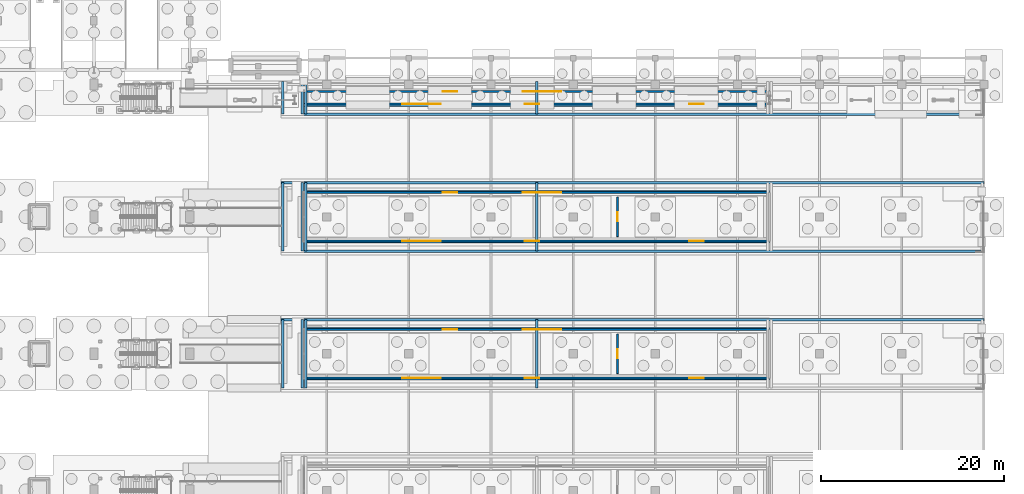
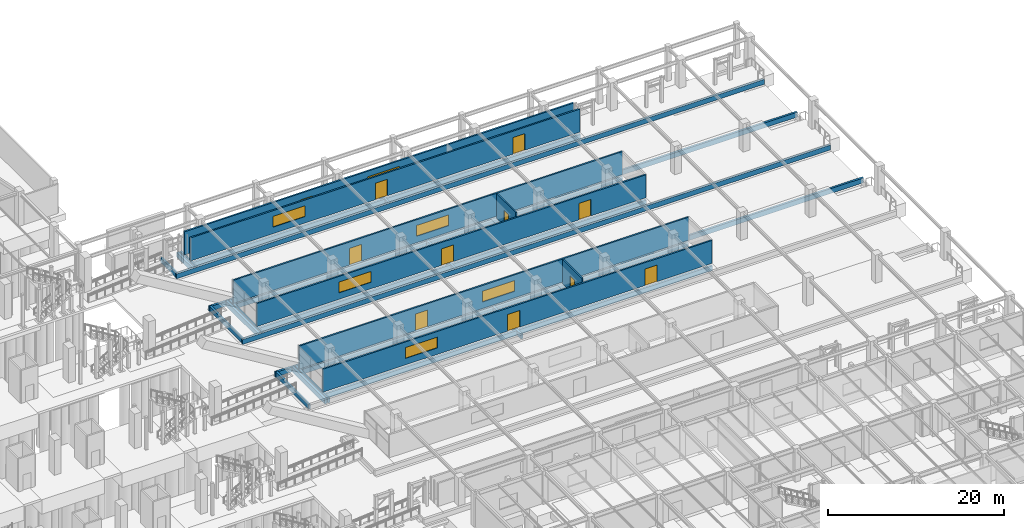
# One storey, part 111 of 160: 29 walls, 11 doors, 6 windows, 17 openings.
"""IFC4 building model written with IfcOpenShell, lengths in metres."""

from ifc_helpers import new_model, si_unit, direction, frame, frame_2d, origin, place, context, subcontext, project, spatial, rectangle, extrude, material, layer, layer_set, type_object, element, fill, save


model = new_model("IFC4")

# Units and contexts
model_context = context("Model", 3, precision=1e-05, world=origin(), true_north=direction((0.0, 1.0)))
body_context = subcontext(model_context, "Body", "Model", "MODEL_VIEW")
ifc_project = project(units=[si_unit("LENGTHUNIT", "METRE"), si_unit("AREAUNIT", "SQUARE_METRE"), si_unit("VOLUMEUNIT", "CUBIC_METRE"), si_unit("PLANEANGLEUNIT", "RADIAN"), si_unit("MASSUNIT", "GRAM", prefix="KILO")], contexts=[model_context])

# Site, building, storey
site_placement = place(None, origin())
site = spatial("IfcSite", under=ifc_project, at=site_placement, CompositionType="ELEMENT")
building_placement = place(site_placement, origin())
building = spatial("IfcBuilding", under=site, at=building_placement, Name="Marlcrest Central Station", CompositionType="ELEMENT")
storey_placement = place(building_placement, origin())
storey = spatial("IfcBuildingStorey", under=building, at=storey_placement, Name="L00", CompositionType="ELEMENT", Elevation=0.0)

# Wall, openings, doors, window
ifc_material_1 = material(Name="Concrete C35/45", Category="concrete")
ifc_layer_1 = layer(ifc_material_1, 0.2099609375, Name="EW-08")
ifc_layer_set_1 = layer_set([ifc_layer_1], Name="Concrete C35/45")
wall_type_1 = type_object("IfcWallType", Name="EW-08", PredefinedType="SOLIDWALL", material=ifc_layer_set_1)
wall_1_placement = place(storey_placement, frame((192.5, 63.35009765625, 0.9150390625), z_axis=(0.0, 0.0, 1.0), x_axis=(-1.0, 0.0, 0.0)))
wall_1 = element("IfcWall", 1, at=wall_1_placement, inside=storey, type_object=wall_type_1, Name="ewall-L00-0230", PredefinedType="SOLIDWALL", context=body_context, shape_type="SweptSolid", body=[
    extrude(rectangle(XDim=51.0, YDim=0.2099609375, at=frame_2d((25.5, 0.0))), origin(), (0.0, 0.0, 1.0), 3.18505859375),
])
opening_1_placement = place(wall_1_placement, frame((25.199951171875, 0.0, 0.0)))
opening_1 = element("IfcOpeningElement", 2, at=opening_1_placement, cuts=wall_1, Name="Opening ED-05", PredefinedType="OPENING", context=body_context, shape_type="SweptSolid", body=[
    extrude(rectangle(XDim=1.60009765625, YDim=2.300048828125, at=frame_2d((0.800048828125, 1.14990234375))), frame((0.0, 0.114990234375, 0.0), z_axis=(0.0, -1.0, 0.0), x_axis=(1.0, 0.0, 0.0)), (0.0, 0.0, 1.0), 0.22998046875),
])
opening_2_placement = place(wall_1_placement, frame((7.199951171875, 0.0, 0.0)))
opening_2 = element("IfcOpeningElement", 3, at=opening_2_placement, cuts=wall_1, Name="Opening ED-05", PredefinedType="OPENING", context=body_context, shape_type="SweptSolid", body=[
    extrude(rectangle(XDim=1.60009765625, YDim=2.300048828125, at=frame_2d((0.800048828125, 1.14990234375))), frame((0.0, 0.114990234375, 0.0), z_axis=(0.0, -1.0, 0.0), x_axis=(1.0, 0.0, 0.0)), (0.0, 0.0, 1.0), 0.22998046875),
])
opening_3_placement = place(wall_1_placement, frame((36.0, 0.0, 0.89990234375)))
opening_3 = element("IfcOpeningElement", 4, at=opening_3_placement, cuts=wall_1, Name="Opening WN-12", PredefinedType="OPENING", context=body_context, shape_type="SweptSolid", body=[
    extrude(rectangle(XDim=4.199951171875, YDim=1.5, at=frame_2d((2.10009765625, 0.75))), frame((0.0, 0.114990234375, 0.0), z_axis=(0.0, -1.0, 0.0), x_axis=(1.0, 0.0, 0.0)), (0.0, 0.0, 1.0), 0.22998046875),
])
ifc_material_2 = material(Name="Thermally broken anodised aluminium and laminated safety glass", Category="aluminium")
door_type_1 = type_object("IfcDoorType", Name="ED-05", OperationType="DOUBLE_DOOR_SINGLE_SWING", PredefinedType="DOOR", material=ifc_material_2)
door_1_placement = place(opening_1_placement, origin())
door_1 = element("IfcDoor", 5, at=door_1_placement, inside=storey, type_object=door_type_1, Name="Platform 3 E South Lounge Door 060", OperationType="DOUBLE_DOOR_SINGLE_SWING", OverallHeight=2.300048828125, OverallWidth=1.60009765625, PredefinedType="DOOR", context=body_context, shape_type="SweptSolid", body=[
    extrude(rectangle(XDim=1.60009765625, YDim=2.300048828125, at=frame_2d((0.800048828125, 1.14990234375))), frame((0.0, 0.02490234375, 0.0), z_axis=(0.0, -1.0, 0.0), x_axis=(1.0, 0.0, 0.0)), (0.0, 0.0, 1.0), 0.050048828125),
])
fill(opening_1, door_1)
door_2_placement = place(opening_2_placement, origin())
door_2 = element("IfcDoor", 6, at=door_2_placement, inside=storey, type_object=door_type_1, Name="Platform 3 E Pod Door 061", OperationType="DOUBLE_DOOR_SINGLE_SWING", OverallHeight=2.300048828125, OverallWidth=1.60009765625, PredefinedType="DOOR", context=body_context, shape_type="SweptSolid", body=[
    extrude(rectangle(XDim=1.60009765625, YDim=2.300048828125, at=frame_2d((0.800048828125, 1.14990234375))), frame((0.0, 0.02490234375, 0.0), z_axis=(0.0, -1.0, 0.0), x_axis=(1.0, 0.0, 0.0)), (0.0, 0.0, 1.0), 0.050048828125),
])
fill(opening_2, door_2)
ifc_material_3 = material(Name="Thermally broken bronze-anodised aluminium and laminated low-E glass", Category="aluminium")
window_type = type_object("IfcWindowType", Name="WN-12", PartitioningType="SINGLE_PANEL", PredefinedType="WINDOW", material=ifc_material_3)
window_1_placement = place(opening_3_placement, origin())
window_1 = element("IfcWindow", 7, at=window_1_placement, inside=storey, type_object=window_type, Name="ewin-L00-0178", OverallHeight=1.5, OverallWidth=4.199951171875, PartitioningType="SINGLE_PANEL", PredefinedType="WINDOW", context=body_context, shape_type="SweptSolid", body=[
    extrude(rectangle(XDim=4.199951171875, YDim=1.5, at=frame_2d((2.10009765625, 0.75))), frame((0.0, 0.030029296875, 0.0), z_axis=(0.0, -1.0, 0.0), x_axis=(1.0, 0.0, 0.0)), (0.0, 0.0, 1.0), 0.06005859375),
])
fill(opening_3, window_1)

# Wall, openings, door, window
wall_2_placement = place(storey_placement, frame((141.5, 68.64990234375, 0.9150390625), z_axis=(0.0, 0.0, 1.0), x_axis=(1.0, 0.0, 0.0)))
wall_2 = element("IfcWall", 8, at=wall_2_placement, inside=storey, type_object=wall_type_1, Name="ewall-L00-0231", PredefinedType="SOLIDWALL", context=body_context, shape_type="SweptSolid", body=[
    extrude(rectangle(XDim=51.0, YDim=0.2099609375, at=frame_2d((25.5, 0.0))), origin(), (0.0, 0.0, 1.0), 3.18505859375),
])
opening_4_placement = place(wall_2_placement, frame((15.199951171875, 0.0, 0.0)))
opening_4 = element("IfcOpeningElement", 9, at=opening_4_placement, cuts=wall_2, Name="Opening ED-05", PredefinedType="OPENING", context=body_context, shape_type="SweptSolid", body=[
    extrude(rectangle(XDim=1.60009765625, YDim=2.300048828125, at=frame_2d((0.800048828125, 1.14990234375))), frame((0.0, 0.114990234375, 0.0), z_axis=(0.0, -1.0, 0.0), x_axis=(1.0, 0.0, 0.0)), (0.0, 0.0, 1.0), 0.22998046875),
])
opening_5_placement = place(wall_2_placement, frame((24.0, 0.0, 0.89990234375)))
opening_5 = element("IfcOpeningElement", 10, at=opening_5_placement, cuts=wall_2, Name="Opening WN-12", PredefinedType="OPENING", context=body_context, shape_type="SweptSolid", body=[
    extrude(rectangle(XDim=4.199951171875, YDim=1.5, at=frame_2d((2.10009765625, 0.75))), frame((0.0, 0.114990234375, 0.0), z_axis=(0.0, -1.0, 0.0), x_axis=(1.0, 0.0, 0.0)), (0.0, 0.0, 1.0), 0.22998046875),
])
door_3_placement = place(opening_4_placement, origin())
door_3 = element("IfcDoor", 11, at=door_3_placement, inside=storey, type_object=door_type_1, Name="Platform 3 E North Lounge Door 062", OperationType="DOUBLE_DOOR_SINGLE_SWING", OverallHeight=2.300048828125, OverallWidth=1.60009765625, PredefinedType="DOOR", context=body_context, shape_type="SweptSolid", body=[
    extrude(rectangle(XDim=1.60009765625, YDim=2.300048828125, at=frame_2d((0.800048828125, 1.14990234375))), frame((0.0, 0.02490234375, 0.0), z_axis=(0.0, -1.0, 0.0), x_axis=(1.0, 0.0, 0.0)), (0.0, 0.0, 1.0), 0.050048828125),
])
fill(opening_4, door_3)
window_2_placement = place(opening_5_placement, origin())
window_2 = element("IfcWindow", 12, at=window_2_placement, inside=storey, type_object=window_type, Name="ewin-L00-0179", OverallHeight=1.5, OverallWidth=4.199951171875, PartitioningType="SINGLE_PANEL", PredefinedType="WINDOW", context=body_context, shape_type="SweptSolid", body=[
    extrude(rectangle(XDim=4.199951171875, YDim=1.5, at=frame_2d((2.10009765625, 0.75))), frame((0.0, 0.030029296875, 0.0), z_axis=(0.0, -1.0, 0.0), x_axis=(1.0, 0.0, 0.0)), (0.0, 0.0, 1.0), 0.06005859375),
])
fill(opening_5, window_2)

# Wall, openings, doors, window
wall_3_placement = place(storey_placement, frame((192.5, 78.35009765625, 0.9150390625), z_axis=(0.0, 0.0, 1.0), x_axis=(-1.0, 0.0, 0.0)))
wall_3 = element("IfcWall", 13, at=wall_3_placement, inside=storey, type_object=wall_type_1, Name="ewall-L00-0236", PredefinedType="SOLIDWALL", context=body_context, shape_type="SweptSolid", body=[
    extrude(rectangle(XDim=51.0, YDim=0.2099609375, at=frame_2d((25.5, 0.0))), origin(), (0.0, 0.0, 1.0), 3.18505859375),
])
opening_6_placement = place(wall_3_placement, frame((25.199951171875, 0.0, 0.0)))
opening_6 = element("IfcOpeningElement", 14, at=opening_6_placement, cuts=wall_3, Name="Opening ED-05", PredefinedType="OPENING", context=body_context, shape_type="SweptSolid", body=[
    extrude(rectangle(XDim=1.60009765625, YDim=2.300048828125, at=frame_2d((0.800048828125, 1.14990234375))), frame((0.0, 0.114990234375, 0.0), z_axis=(0.0, -1.0, 0.0), x_axis=(1.0, 0.0, 0.0)), (0.0, 0.0, 1.0), 0.22998046875),
])
opening_7_placement = place(wall_3_placement, frame((7.199951171875, 0.0, 0.0)))
opening_7 = element("IfcOpeningElement", 15, at=opening_7_placement, cuts=wall_3, Name="Opening ED-05", PredefinedType="OPENING", context=body_context, shape_type="SweptSolid", body=[
    extrude(rectangle(XDim=1.60009765625, YDim=2.300048828125, at=frame_2d((0.800048828125, 1.14990234375))), frame((0.0, 0.114990234375, 0.0), z_axis=(0.0, -1.0, 0.0), x_axis=(1.0, 0.0, 0.0)), (0.0, 0.0, 1.0), 0.22998046875),
])
opening_8_placement = place(wall_3_placement, frame((36.0, 0.0, 0.89990234375)))
opening_8 = element("IfcOpeningElement", 16, at=opening_8_placement, cuts=wall_3, Name="Opening WN-12", PredefinedType="OPENING", context=body_context, shape_type="SweptSolid", body=[
    extrude(rectangle(XDim=4.199951171875, YDim=1.5, at=frame_2d((2.10009765625, 0.75))), frame((0.0, 0.114990234375, 0.0), z_axis=(0.0, -1.0, 0.0), x_axis=(1.0, 0.0, 0.0)), (0.0, 0.0, 1.0), 0.22998046875),
])
door_4_placement = place(opening_6_placement, origin())
door_4 = element("IfcDoor", 17, at=door_4_placement, inside=storey, type_object=door_type_1, Name="Platform 4 E South Lounge Door 066", OperationType="DOUBLE_DOOR_SINGLE_SWING", OverallHeight=2.300048828125, OverallWidth=1.60009765625, PredefinedType="DOOR", context=body_context, shape_type="SweptSolid", body=[
    extrude(rectangle(XDim=1.60009765625, YDim=2.300048828125, at=frame_2d((0.800048828125, 1.14990234375))), frame((0.0, 0.02490234375, 0.0), z_axis=(0.0, -1.0, 0.0), x_axis=(1.0, 0.0, 0.0)), (0.0, 0.0, 1.0), 0.050048828125),
])
fill(opening_6, door_4)
door_5_placement = place(opening_7_placement, origin())
door_5 = element("IfcDoor", 18, at=door_5_placement, inside=storey, type_object=door_type_1, Name="Platform 4 E Pod Door 067", OperationType="DOUBLE_DOOR_SINGLE_SWING", OverallHeight=2.300048828125, OverallWidth=1.60009765625, PredefinedType="DOOR", context=body_context, shape_type="SweptSolid", body=[
    extrude(rectangle(XDim=1.60009765625, YDim=2.300048828125, at=frame_2d((0.800048828125, 1.14990234375))), frame((0.0, 0.02490234375, 0.0), z_axis=(0.0, -1.0, 0.0), x_axis=(1.0, 0.0, 0.0)), (0.0, 0.0, 1.0), 0.050048828125),
])
fill(opening_7, door_5)
window_3_placement = place(opening_8_placement, origin())
window_3 = element("IfcWindow", 19, at=window_3_placement, inside=storey, type_object=window_type, Name="ewin-L00-0182", OverallHeight=1.5, OverallWidth=4.199951171875, PartitioningType="SINGLE_PANEL", PredefinedType="WINDOW", context=body_context, shape_type="SweptSolid", body=[
    extrude(rectangle(XDim=4.199951171875, YDim=1.5, at=frame_2d((2.10009765625, 0.75))), frame((0.0, 0.030029296875, 0.0), z_axis=(0.0, -1.0, 0.0), x_axis=(1.0, 0.0, 0.0)), (0.0, 0.0, 1.0), 0.06005859375),
])
fill(opening_8, window_3)

# Wall, openings, door, window
wall_4_placement = place(storey_placement, frame((141.5, 83.64990234375, 0.9150390625), z_axis=(0.0, 0.0, 1.0), x_axis=(1.0, 0.0, 0.0)))
wall_4 = element("IfcWall", 20, at=wall_4_placement, inside=storey, type_object=wall_type_1, Name="ewall-L00-0237", PredefinedType="SOLIDWALL", context=body_context, shape_type="SweptSolid", body=[
    extrude(rectangle(XDim=51.0, YDim=0.2099609375, at=frame_2d((25.5, 0.0))), origin(), (0.0, 0.0, 1.0), 3.18505859375),
])
opening_9_placement = place(wall_4_placement, frame((15.199951171875, 0.0, 0.0)))
opening_9 = element("IfcOpeningElement", 21, at=opening_9_placement, cuts=wall_4, Name="Opening ED-05", PredefinedType="OPENING", context=body_context, shape_type="SweptSolid", body=[
    extrude(rectangle(XDim=1.60009765625, YDim=2.300048828125, at=frame_2d((0.800048828125, 1.14990234375))), frame((0.0, 0.114990234375, 0.0), z_axis=(0.0, -1.0, 0.0), x_axis=(1.0, 0.0, 0.0)), (0.0, 0.0, 1.0), 0.22998046875),
])
opening_10_placement = place(wall_4_placement, frame((24.0, 0.0, 0.89990234375)))
opening_10 = element("IfcOpeningElement", 22, at=opening_10_placement, cuts=wall_4, Name="Opening WN-12", PredefinedType="OPENING", context=body_context, shape_type="SweptSolid", body=[
    extrude(rectangle(XDim=4.199951171875, YDim=1.5, at=frame_2d((2.10009765625, 0.75))), frame((0.0, 0.114990234375, 0.0), z_axis=(0.0, -1.0, 0.0), x_axis=(1.0, 0.0, 0.0)), (0.0, 0.0, 1.0), 0.22998046875),
])
door_6_placement = place(opening_9_placement, origin())
door_6 = element("IfcDoor", 23, at=door_6_placement, inside=storey, type_object=door_type_1, Name="Platform 4 E North Lounge Door 068", OperationType="DOUBLE_DOOR_SINGLE_SWING", OverallHeight=2.300048828125, OverallWidth=1.60009765625, PredefinedType="DOOR", context=body_context, shape_type="SweptSolid", body=[
    extrude(rectangle(XDim=1.60009765625, YDim=2.300048828125, at=frame_2d((0.800048828125, 1.14990234375))), frame((0.0, 0.02490234375, 0.0), z_axis=(0.0, -1.0, 0.0), x_axis=(1.0, 0.0, 0.0)), (0.0, 0.0, 1.0), 0.050048828125),
])
fill(opening_9, door_6)
window_4_placement = place(opening_10_placement, origin())
window_4 = element("IfcWindow", 24, at=window_4_placement, inside=storey, type_object=window_type, Name="ewin-L00-0183", OverallHeight=1.5, OverallWidth=4.199951171875, PartitioningType="SINGLE_PANEL", PredefinedType="WINDOW", context=body_context, shape_type="SweptSolid", body=[
    extrude(rectangle(XDim=4.199951171875, YDim=1.5, at=frame_2d((2.10009765625, 0.75))), frame((0.0, 0.030029296875, 0.0), z_axis=(0.0, -1.0, 0.0), x_axis=(1.0, 0.0, 0.0)), (0.0, 0.0, 1.0), 0.06005859375),
])
fill(opening_10, window_4)

# Wall, openings, doors, window
wall_5_placement = place(storey_placement, frame((192.5, 93.35009765625, 0.9150390625), z_axis=(0.0, 0.0, 1.0), x_axis=(-1.0, 0.0, 0.0)))
wall_5 = element("IfcWall", 25, at=wall_5_placement, inside=storey, type_object=wall_type_1, Name="ewall-L00-0242", PredefinedType="SOLIDWALL", context=body_context, shape_type="SweptSolid", body=[
    extrude(rectangle(XDim=51.0, YDim=0.2099609375, at=frame_2d((25.5, 0.0))), origin(), (0.0, 0.0, 1.0), 3.18505859375),
])
opening_11_placement = place(wall_5_placement, frame((25.199951171875, 0.0, 0.0)))
opening_11 = element("IfcOpeningElement", 26, at=opening_11_placement, cuts=wall_5, Name="Opening ED-05", PredefinedType="OPENING", context=body_context, shape_type="SweptSolid", body=[
    extrude(rectangle(XDim=1.60009765625, YDim=2.300048828125, at=frame_2d((0.800048828125, 1.14990234375))), frame((0.0, 0.114990234375, 0.0), z_axis=(0.0, -1.0, 0.0), x_axis=(1.0, 0.0, 0.0)), (0.0, 0.0, 1.0), 0.22998046875),
])
opening_12_placement = place(wall_5_placement, frame((7.199951171875, 0.0, 0.0)))
opening_12 = element("IfcOpeningElement", 27, at=opening_12_placement, cuts=wall_5, Name="Opening ED-05", PredefinedType="OPENING", context=body_context, shape_type="SweptSolid", body=[
    extrude(rectangle(XDim=1.60009765625, YDim=2.300048828125, at=frame_2d((0.800048828125, 1.14990234375))), frame((0.0, 0.114990234375, 0.0), z_axis=(0.0, -1.0, 0.0), x_axis=(1.0, 0.0, 0.0)), (0.0, 0.0, 1.0), 0.22998046875),
])
opening_13_placement = place(wall_5_placement, frame((36.0, 0.0, 0.89990234375)))
opening_13 = element("IfcOpeningElement", 28, at=opening_13_placement, cuts=wall_5, Name="Opening WN-12", PredefinedType="OPENING", context=body_context, shape_type="SweptSolid", body=[
    extrude(rectangle(XDim=4.199951171875, YDim=1.5, at=frame_2d((2.10009765625, 0.75))), frame((0.0, 0.114990234375, 0.0), z_axis=(0.0, -1.0, 0.0), x_axis=(1.0, 0.0, 0.0)), (0.0, 0.0, 1.0), 0.22998046875),
])
door_7_placement = place(opening_11_placement, origin())
door_7 = element("IfcDoor", 29, at=door_7_placement, inside=storey, type_object=door_type_1, Name="Platform 5 E South Lounge Door 072", OperationType="DOUBLE_DOOR_SINGLE_SWING", OverallHeight=2.300048828125, OverallWidth=1.60009765625, PredefinedType="DOOR", context=body_context, shape_type="SweptSolid", body=[
    extrude(rectangle(XDim=1.60009765625, YDim=2.300048828125, at=frame_2d((0.800048828125, 1.14990234375))), frame((0.0, 0.02490234375, 0.0), z_axis=(0.0, -1.0, 0.0), x_axis=(1.0, 0.0, 0.0)), (0.0, 0.0, 1.0), 0.050048828125),
])
fill(opening_11, door_7)
door_8_placement = place(opening_12_placement, origin())
door_8 = element("IfcDoor", 30, at=door_8_placement, inside=storey, type_object=door_type_1, Name="Platform 5 E Pod Door 073", OperationType="DOUBLE_DOOR_SINGLE_SWING", OverallHeight=2.300048828125, OverallWidth=1.60009765625, PredefinedType="DOOR", context=body_context, shape_type="SweptSolid", body=[
    extrude(rectangle(XDim=1.60009765625, YDim=2.300048828125, at=frame_2d((0.800048828125, 1.14990234375))), frame((0.0, 0.02490234375, 0.0), z_axis=(0.0, -1.0, 0.0), x_axis=(1.0, 0.0, 0.0)), (0.0, 0.0, 1.0), 0.050048828125),
])
fill(opening_12, door_8)
window_5_placement = place(opening_13_placement, origin())
window_5 = element("IfcWindow", 31, at=window_5_placement, inside=storey, type_object=window_type, Name="ewin-L00-0186", OverallHeight=1.5, OverallWidth=4.199951171875, PartitioningType="SINGLE_PANEL", PredefinedType="WINDOW", context=body_context, shape_type="SweptSolid", body=[
    extrude(rectangle(XDim=4.199951171875, YDim=1.5, at=frame_2d((2.10009765625, 0.75))), frame((0.0, 0.030029296875, 0.0), z_axis=(0.0, -1.0, 0.0), x_axis=(1.0, 0.0, 0.0)), (0.0, 0.0, 1.0), 0.06005859375),
])
fill(opening_13, window_5)

# Wall, openings, door, window
wall_6_placement = place(storey_placement, frame((141.5, 94.75, 0.9150390625), z_axis=(0.0, 0.0, 1.0), x_axis=(1.0, 0.0, 0.0)))
wall_6 = element("IfcWall", 32, at=wall_6_placement, inside=storey, type_object=wall_type_1, Name="ewall-L00-0243", PredefinedType="SOLIDWALL", context=body_context, shape_type="SweptSolid", body=[
    extrude(rectangle(XDim=51.0, YDim=0.2099609375, at=frame_2d((25.5, 0.0))), origin(), (0.0, 0.0, 1.0), 3.18505859375),
])
opening_14_placement = place(wall_6_placement, frame((15.199951171875, 0.0, 0.0)))
opening_14 = element("IfcOpeningElement", 33, at=opening_14_placement, cuts=wall_6, Name="Opening ED-05", PredefinedType="OPENING", context=body_context, shape_type="SweptSolid", body=[
    extrude(rectangle(XDim=1.60009765625, YDim=2.300048828125, at=frame_2d((0.800048828125, 1.14990234375))), frame((0.0, 0.114990234375, 0.0), z_axis=(0.0, -1.0, 0.0), x_axis=(1.0, 0.0, 0.0)), (0.0, 0.0, 1.0), 0.22998046875),
])
opening_15_placement = place(wall_6_placement, frame((24.0, 0.0, 0.89990234375)))
opening_15 = element("IfcOpeningElement", 34, at=opening_15_placement, cuts=wall_6, Name="Opening WN-12", PredefinedType="OPENING", context=body_context, shape_type="SweptSolid", body=[
    extrude(rectangle(XDim=4.199951171875, YDim=1.5, at=frame_2d((2.10009765625, 0.75))), frame((0.0, 0.114990234375, 0.0), z_axis=(0.0, -1.0, 0.0), x_axis=(1.0, 0.0, 0.0)), (0.0, 0.0, 1.0), 0.22998046875),
])
door_9_placement = place(opening_14_placement, origin())
door_9 = element("IfcDoor", 35, at=door_9_placement, inside=storey, type_object=door_type_1, Name="Platform 5 E North Lounge Door 074", OperationType="DOUBLE_DOOR_SINGLE_SWING", OverallHeight=2.300048828125, OverallWidth=1.60009765625, PredefinedType="DOOR", context=body_context, shape_type="SweptSolid", body=[
    extrude(rectangle(XDim=1.60009765625, YDim=2.300048828125, at=frame_2d((0.800048828125, 1.14990234375))), frame((0.0, 0.02490234375, 0.0), z_axis=(0.0, -1.0, 0.0), x_axis=(1.0, 0.0, 0.0)), (0.0, 0.0, 1.0), 0.050048828125),
])
fill(opening_14, door_9)
window_6_placement = place(opening_15_placement, origin())
window_6 = element("IfcWindow", 36, at=window_6_placement, inside=storey, type_object=window_type, Name="ewin-L00-0187", OverallHeight=1.5, OverallWidth=4.199951171875, PartitioningType="SINGLE_PANEL", PredefinedType="WINDOW", context=body_context, shape_type="SweptSolid", body=[
    extrude(rectangle(XDim=4.199951171875, YDim=1.5, at=frame_2d((2.10009765625, 0.75))), frame((0.0, 0.030029296875, 0.0), z_axis=(0.0, -1.0, 0.0), x_axis=(1.0, 0.0, 0.0)), (0.0, 0.0, 1.0), 0.06005859375),
])
fill(opening_15, window_6)

# Wall, opening, door
ifc_material_4 = material(Name="Fire-rated corridor blockwork partition", Category="masonry")
ifc_layer_2 = layer(ifc_material_4, 0.179931640625, Name="PT-04")
ifc_layer_set_2 = layer_set([ifc_layer_2], Name="Fire-rated corridor blockwork partition")
wall_type_2 = type_object("IfcWallType", Name="PT-04", PredefinedType="PARTITIONING", material=ifc_layer_set_2)
wall_7_placement = place(storey_placement, frame((175.860107421875, 63.830078125, 0.9150390625), z_axis=(0.0, 0.0, 1.0), x_axis=(0.0, 1.0, 0.0)))
wall_7 = element("IfcWall", 37, at=wall_7_placement, inside=storey, type_object=wall_type_2, Name="iwall-L00-00023", PredefinedType="PARTITIONING", context=body_context, shape_type="SweptSolid", body=[
    extrude(rectangle(XDim=4.33984375, YDim=0.179931640625, at=frame_2d((2.169921875, 0.0))), origin(), (0.0, 0.0, 1.0), 3.43505859375),
])
opening_16_placement = place(wall_7_placement, frame((1.669921875, 0.0, 0.0)))
opening_16 = element("IfcOpeningElement", 38, at=opening_16_placement, cuts=wall_7, Name="Opening ID-02", PredefinedType="OPENING", context=body_context, shape_type="SweptSolid", body=[
    extrude(rectangle(XDim=1.0, YDim=2.14990234375, at=frame_2d((0.5, 1.074951171875))), frame((0.0, 0.099853515625, 0.0), z_axis=(0.0, -1.0, 0.0), x_axis=(1.0, 0.0, 0.0)), (0.0, 0.0, 1.0), 0.199951171875),
])
ifc_material_5 = material(Name="Solid-core hardwood office door", Category="wood")
door_type_2 = type_object("IfcDoorType", Name="ID-02", OperationType="NOTDEFINED", PredefinedType="DOOR", material=ifc_material_5)
door_10_placement = place(opening_16_placement, origin())
door_10 = element("IfcDoor", 39, at=door_10_placement, inside=storey, type_object=door_type_2, Name="L00-PC3 0015", OperationType="SINGLE_SWING_RIGHT", OverallHeight=2.14990234375, OverallWidth=1.0, PredefinedType="DOOR", context=body_context, shape_type="SweptSolid", body=[
    extrude(rectangle(XDim=1.0, YDim=2.14990234375, at=frame_2d((0.5, 1.074951171875))), frame((0.0, 0.02490234375, 0.0), z_axis=(0.0, -1.0, 0.0), x_axis=(1.0, 0.0, 0.0)), (0.0, 0.0, 1.0), 0.050048828125),
])
fill(opening_16, door_10)

wall_8_placement = place(storey_placement, frame((175.860107421875, 78.830078125, 0.9150390625), z_axis=(0.0, 0.0, 1.0), x_axis=(0.0, 1.0, 0.0)))
wall_8 = element("IfcWall", 40, at=wall_8_placement, inside=storey, type_object=wall_type_2, Name="iwall-L00-00025", PredefinedType="PARTITIONING", context=body_context, shape_type="SweptSolid", body=[
    extrude(rectangle(XDim=4.33984375, YDim=0.179931640625, at=frame_2d((2.169921875, 0.0))), origin(), (0.0, 0.0, 1.0), 3.43505859375),
])
opening_17_placement = place(wall_8_placement, frame((1.669921875, 0.0, 0.0)))
opening_17 = element("IfcOpeningElement", 41, at=opening_17_placement, cuts=wall_8, Name="Opening ID-02", PredefinedType="OPENING", context=body_context, shape_type="SweptSolid", body=[
    extrude(rectangle(XDim=1.0, YDim=2.14990234375, at=frame_2d((0.5, 1.074951171875))), frame((0.0, 0.099853515625, 0.0), z_axis=(0.0, -1.0, 0.0), x_axis=(1.0, 0.0, 0.0)), (0.0, 0.0, 1.0), 0.199951171875),
])
door_11_placement = place(opening_17_placement, origin())
door_11 = element("IfcDoor", 42, at=door_11_placement, inside=storey, type_object=door_type_2, Name="L00-PT4 0017", OperationType="SINGLE_SWING_RIGHT", OverallHeight=2.14990234375, OverallWidth=1.0, PredefinedType="DOOR", context=body_context, shape_type="SweptSolid", body=[
    extrude(rectangle(XDim=1.0, YDim=2.14990234375, at=frame_2d((0.5, 1.074951171875))), frame((0.0, 0.02490234375, 0.0), z_axis=(0.0, -1.0, 0.0), x_axis=(1.0, 0.0, 0.0)), (0.0, 0.0, 1.0), 0.050048828125),
])
fill(opening_17, door_11)

# Walls
ifc_layer_3 = layer(ifc_material_1, 0.27490234375, Name="PW-01")
ifc_layer_set_3 = layer_set([ifc_layer_3], Name="Concrete C35/45")
wall_type_3 = type_object("IfcWallType", Name="PW-01", PredefinedType="SOLIDWALL", material=ifc_layer_set_3)
wall_9_placement = place(storey_placement, frame((139.0, 69.75, 0.0), z_axis=(0.0, 0.0, 1.0), x_axis=(1.0, 0.0, 0.0)))
element("IfcWall", 43, at=wall_9_placement, inside=storey, type_object=wall_type_3, Name="swall-L00-0111", PredefinedType="SOLIDWALL", context=body_context, shape_type="SweptSolid", body=[
    extrude(rectangle(XDim=77.0, YDim=0.27490234375, at=frame_2d((38.5, 0.0))), origin(), (0.0, 0.0, 1.0), 0.675048828125),
])
for number, where, z_axis, x_axis, name in (
    (44, (141.5, 63.25, 0.0), (0.0, 0.0, 1.0), (1.0, 0.0, 0.0), "swall-L00-0112"),
    (45, (141.5, 68.75, 0.0), (0.0, 0.0, 1.0), (1.0, 0.0, 0.0), "swall-L00-0113"),
):
    element("IfcWall", number, at=place(storey_placement, frame(where, z_axis=z_axis, x_axis=x_axis)), inside=storey, type_object=wall_type_3, Name=name, PredefinedType="SOLIDWALL", context=body_context, shape_type="SweptSolid", body=[
        extrude(rectangle(XDim=51.0, YDim=0.27490234375, at=frame_2d((25.5, 0.0))), origin(), (0.0, 0.0, 1.0), 0.675048828125),
    ])
for number, where, z_axis, x_axis, name in (
    (46, (139.199951171875, 62.25, 0.0), (0.0, 0.0, 1.0), (0.0, 1.0, 0.0), "swall-L00-0114"),
    (47, (141.300048828125, 62.25, 0.0), (0.0, 0.0, 1.0), (0.0, 1.0, 0.0), "swall-L00-0115"),
    (48, (141.699951171875, 62.25, 0.0), (0.0, 0.0, 1.0), (0.0, 1.0, 0.0), "swall-L00-0116"),
    (49, (167.0, 62.25, 0.0), (0.0, 0.0, 1.0), (0.0, 1.0, 0.0), "swall-L00-0117"),
):
    element("IfcWall", number, at=place(storey_placement, frame(where, z_axis=z_axis, x_axis=x_axis)), inside=storey, type_object=wall_type_3, Name=name, PredefinedType="SOLIDWALL", context=body_context, shape_type="SweptSolid", body=[
        extrude(rectangle(XDim=7.5, YDim=0.27490234375, at=frame_2d((3.75, 0.0))), origin(), (0.0, 0.0, 1.0), 0.675048828125),
    ])
for number, where, z_axis, x_axis, name in (
    (50, (139.0, 77.25, 0.0), (0.0, 0.0, 1.0), (1.0, 0.0, 0.0), "swall-L00-0132"),
    (51, (139.0, 84.75, 0.0), (0.0, 0.0, 1.0), (1.0, 0.0, 0.0), "swall-L00-0133"),
):
    element("IfcWall", number, at=place(storey_placement, frame(where, z_axis=z_axis, x_axis=x_axis)), inside=storey, type_object=wall_type_3, Name=name, PredefinedType="SOLIDWALL", context=body_context, shape_type="SweptSolid", body=[
        extrude(rectangle(XDim=77.0, YDim=0.27490234375, at=frame_2d((38.5, 0.0))), origin(), (0.0, 0.0, 1.0), 0.675048828125),
    ])
for number, where, z_axis, x_axis, name in (
    (52, (141.5, 78.25, 0.0), (0.0, 0.0, 1.0), (1.0, 0.0, 0.0), "swall-L00-0134"),
    (53, (141.5, 83.75, 0.0), (0.0, 0.0, 1.0), (1.0, 0.0, 0.0), "swall-L00-0135"),
):
    element("IfcWall", number, at=place(storey_placement, frame(where, z_axis=z_axis, x_axis=x_axis)), inside=storey, type_object=wall_type_3, Name=name, PredefinedType="SOLIDWALL", context=body_context, shape_type="SweptSolid", body=[
        extrude(rectangle(XDim=51.0, YDim=0.27490234375, at=frame_2d((25.5, 0.0))), origin(), (0.0, 0.0, 1.0), 0.675048828125),
    ])
for number, where, z_axis, x_axis, name in (
    (54, (139.199951171875, 77.25, 0.0), (0.0, 0.0, 1.0), (0.0, 1.0, 0.0), "swall-L00-0136"),
    (55, (141.300048828125, 77.25, 0.0), (0.0, 0.0, 1.0), (0.0, 1.0, 0.0), "swall-L00-0137"),
    (56, (141.699951171875, 77.25, 0.0), (0.0, 0.0, 1.0), (0.0, 1.0, 0.0), "swall-L00-0138"),
    (57, (167.0, 77.25, 0.0), (0.0, 0.0, 1.0), (0.0, 1.0, 0.0), "swall-L00-0139"),
):
    element("IfcWall", number, at=place(storey_placement, frame(where, z_axis=z_axis, x_axis=x_axis)), inside=storey, type_object=wall_type_3, Name=name, PredefinedType="SOLIDWALL", context=body_context, shape_type="SweptSolid", body=[
        extrude(rectangle(XDim=7.5, YDim=0.27490234375, at=frame_2d((3.75, 0.0))), origin(), (0.0, 0.0, 1.0), 0.675048828125),
    ])
wall_10_placement = place(storey_placement, frame((139.0, 92.25, 0.0), z_axis=(0.0, 0.0, 1.0), x_axis=(1.0, 0.0, 0.0)))
element("IfcWall", 58, at=wall_10_placement, inside=storey, type_object=wall_type_3, Name="swall-L00-0154", PredefinedType="SOLIDWALL", context=body_context, shape_type="SweptSolid", body=[
    extrude(rectangle(XDim=77.0, YDim=0.27490234375, at=frame_2d((38.5, 0.0))), origin(), (0.0, 0.0, 1.0), 0.675048828125),
])
wall_11_placement = place(storey_placement, frame((141.5, 93.25, 0.0), z_axis=(0.0, 0.0, 1.0), x_axis=(1.0, 0.0, 0.0)))
element("IfcWall", 59, at=wall_11_placement, inside=storey, type_object=wall_type_3, Name="swall-L00-0156", PredefinedType="SOLIDWALL", context=body_context, shape_type="SweptSolid", body=[
    extrude(rectangle(XDim=51.0, YDim=0.27490234375, at=frame_2d((25.5, 0.0))), origin(), (0.0, 0.0, 1.0), 0.675048828125),
])
for number, where, z_axis, x_axis, name in (
    (60, (139.199951171875, 92.25, 0.0), (0.0, 0.0, 1.0), (0.0, 1.0, 0.0), "swall-L00-0158"),
    (61, (141.300048828125, 92.25, 0.0), (0.0, 0.0, 1.0), (0.0, 1.0, 0.0), "swall-L00-0159"),
    (62, (141.699951171875, 92.25, 0.0), (0.0, 0.0, 1.0), (0.0, 1.0, 0.0), "swall-L00-0160"),
    (63, (167.0, 92.25, 0.0), (0.0, 0.0, 1.0), (0.0, 1.0, 0.0), "swall-L00-0161"),
):
    element("IfcWall", number, at=place(storey_placement, frame(where, z_axis=z_axis, x_axis=x_axis)), inside=storey, type_object=wall_type_3, Name=name, PredefinedType="SOLIDWALL", context=body_context, shape_type="SweptSolid", body=[
        extrude(rectangle(XDim=3.60009765625, YDim=0.27490234375, at=frame_2d((1.800048828125, 0.0))), origin(), (0.0, 0.0, 1.0), 0.675048828125),
    ])

save(model, "model.ifc")
